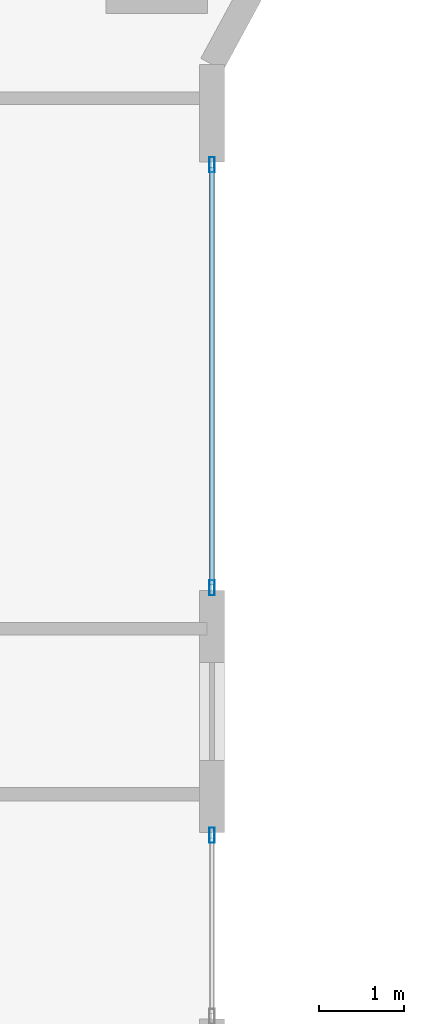
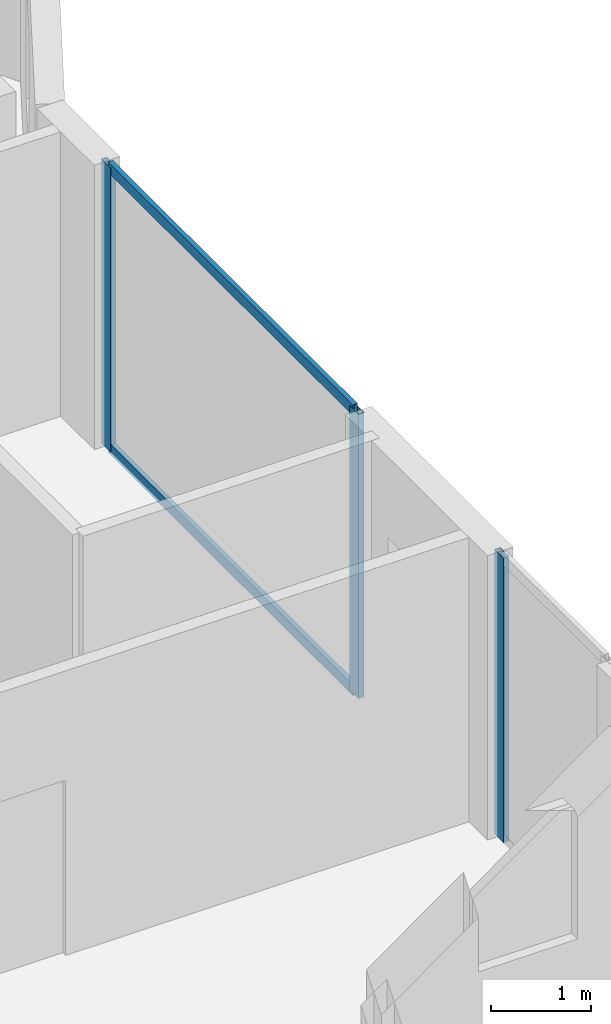
# One storey, part 12 of 33: 5 members, 2 elements without a shape of their own.
"""IFC4 building model written with IfcOpenShell, lengths in metres."""

import ifcopenshell
import ifcopenshell.guid

model = None  # the IFC model being written
_history = None  # IfcOwnerHistory: only IFC2X3 demands one
_inside = {}  # id of a spatial element -> (the spatial element, [elements in it])
_under = {}  # id of a project, library or spatial element -> (it, [spatial elements below it])
_declared = {}  # id of a project -> (the project, [libraries it declares])
_typed = {}  # id of a type object -> (the type object, [elements of that type])
_made_of = {}  # id of a material, layer set ... -> (it, [elements and type objects made of it])


def new_model(schema):
    """Start an empty IFC model of exactly this schema.

    Asked for "IFC4X3", IfcOpenShell would pick the latest addendum, in which some entities
    have other attributes; the version numbers below select the first issue.
    IFC2X3 requires an IfcOwnerHistory on every rooted entity: one is made here for all.
    """
    global model, _history
    if schema == "IFC4X3":
        model = ifcopenshell.file(schema_version=(4, 3, 0, 0))
    else:
        model = ifcopenshell.file(schema=schema)
    _inside.clear()
    _under.clear()
    _declared.clear()
    _typed.clear()
    _made_of.clear()
    _history = None
    if model.schema == "IFC2X3":
        org = make("IfcOrganization", Name="unknown")
        user = make(
            "IfcPersonAndOrganization",
            ThePerson=make("IfcPerson", FamilyName="unknown"),
            TheOrganization=org,
        )
        app = make(
            "IfcApplication",
            ApplicationDeveloper=org,
            Version="unknown",
            ApplicationFullName="unknown",
            ApplicationIdentifier="unknown",
        )
        _history = make(
            "IfcOwnerHistory",
            OwningUser=user,
            OwningApplication=app,
            ChangeAction="ADDED",
            CreationDate=0,
        )
    return model


def make(cls, **values):
    """One entity of the class cls with the attributes given. An attribute that is None is left unset."""
    return model.create_entity(
        cls, **{name: value for name, value in values.items() if value is not None}
    )


def rooted(cls, **values):
    """An entity with a GlobalId (a new one), such as an element, a storey or a relation."""
    return make(cls, GlobalId=ifcopenshell.guid.new(), OwnerHistory=_history, **values)


def si_unit(unit_type, name, prefix=None):
    """IfcSIUnit, for example si_unit("LENGTHUNIT", "METRE", prefix="MILLI")."""
    return make("IfcSIUnit", UnitType=unit_type, Prefix=prefix, Name=name)


def assignment(units):
    """IfcUnitAssignment: the units of a project."""
    return None if units is None else make("IfcUnitAssignment", Units=units)


def point(xyz):
    """IfcCartesianPoint."""
    return None if xyz is None else make("IfcCartesianPoint", Coordinates=xyz)


def direction(xyz):
    """IfcDirection."""
    return None if xyz is None else make("IfcDirection", DirectionRatios=xyz)


def frame(location, z_axis=None, x_axis=None):
    """IfcAxis2Placement3D, a coordinate frame: its origin and axes. An axis left out is left unset."""
    return make(
        "IfcAxis2Placement3D",
        Location=point(location),
        Axis=direction(z_axis),
        RefDirection=direction(x_axis),
    )


def frame_2d(location, x_axis=None):
    """IfcAxis2Placement2D, a coordinate frame in the plane: its origin and x axis."""
    return make(
        "IfcAxis2Placement2D", Location=point(location), RefDirection=direction(x_axis)
    )


def origin():
    """The frame at (0, 0, 0) with its axes left unset."""
    return frame((0.0, 0.0, 0.0))


def origin_2d():
    """The frame at (0, 0) in the plane with its x axis left unset."""
    return frame_2d((0.0, 0.0))


def place(relative_to, where):
    """IfcLocalPlacement: puts the frame where relative to a parent placement (None: the world)."""
    return make(
        "IfcLocalPlacement", PlacementRelTo=relative_to, RelativePlacement=where
    )


def context(
    kind, dimensions, precision=None, world=None, true_north=None, identifier=None
):
    """IfcGeometricRepresentationContext, for example the 3D "Model" context."""
    return make(
        "IfcGeometricRepresentationContext",
        ContextIdentifier=identifier,
        ContextType=kind,
        CoordinateSpaceDimension=dimensions,
        Precision=precision,
        WorldCoordinateSystem=world,
        TrueNorth=true_north,
    )


def subcontext(parent, identifier, kind, view, scale=None):
    """IfcGeometricRepresentationSubContext, for example "Body" below "Model"."""
    return make(
        "IfcGeometricRepresentationSubContext",
        ContextIdentifier=identifier,
        ContextType=kind,
        ParentContext=parent,
        TargetScale=scale,
        TargetView=view,
    )


def project(units=None, contexts=None):
    """IfcProject with its units and contexts."""
    return rooted(
        "IfcProject",
        Name="project",
        RepresentationContexts=contexts,
        UnitsInContext=assignment(units),
    )


def spatial(cls, under=None, at=None, **own):
    """A site, building, storey or space (cls), placed at a placement, below another one or the project."""
    s = rooted(cls, ObjectPlacement=at, **own)
    if under is not None:
        _under.setdefault(under.id(), (under, []))[1].append(s)
    return s


def profile(cls, at=None, kind="AREA", **sizes):
    """A parametric profile (cls). Its sizes go by their IFC names, for example OverallWidth=200.0."""
    return make(cls, ProfileType=kind, Position=at, **sizes)


def hollow_rectangle(**sizes):
    """IfcRectangleHollowProfileDef."""
    return profile("IfcRectangleHollowProfileDef", **sizes)


def extrude(swept, where, along, depth):
    """IfcExtrudedAreaSolid: the profile swept, set in the frame where, extruded along a direction by depth."""
    return make(
        "IfcExtrudedAreaSolid",
        SweptArea=swept,
        Position=where,
        ExtrudedDirection=direction(along),
        Depth=depth,
    )


def shape(context_of_items, identifier, shape_type, items):
    """IfcShapeRepresentation: the items that make up one representation, for example the "Body"."""
    return make(
        "IfcShapeRepresentation",
        ContextOfItems=context_of_items,
        RepresentationIdentifier=identifier,
        RepresentationType=shape_type,
        Items=items,
    )


def material(Name=None, Category=None):
    """IfcMaterial."""
    return make("IfcMaterial", Name=Name, Category=Category)


def layer(
    of_material, thickness, ventilated=None, Name=None, Category=None, Priority=None
):
    """IfcMaterialLayer: one layer of a wall or slab, of a material (None: an air gap)."""
    return make(
        "IfcMaterialLayer",
        Material=of_material,
        LayerThickness=thickness,
        IsVentilated=ventilated,
        Name=Name,
        Category=Category,
        Priority=Priority,
    )


def layer_set(layers, Name=None):
    """IfcMaterialLayerSet."""
    return make("IfcMaterialLayerSet", MaterialLayers=layers, LayerSetName=Name)


def material_profile(
    of_material, cross_section, Name=None, Category=None, Priority=None
):
    """IfcMaterialProfile: a cross section and its material."""
    return make(
        "IfcMaterialProfile",
        Name=Name,
        Material=of_material,
        Profile=cross_section,
        Priority=Priority,
        Category=Category,
    )


def profile_set(profiles, Name=None, composite=None):
    """IfcMaterialProfileSet."""
    return make(
        "IfcMaterialProfileSet",
        Name=Name,
        MaterialProfiles=profiles,
        CompositeProfile=composite,
    )


def made_of(thing, what):
    """Note that an element or type object is made of a material, layer set ...; save() writes the relation."""
    if what is not None:
        _made_of.setdefault(what.id(), (what, []))[1].append(thing)
    return thing


def type_object(cls, material=None, **own):
    """A type object (cls), such as IfcWallType, which elements share."""
    return made_of(rooted(cls, **own), material)


def element(
    cls,
    number,
    at=None,
    inside=None,
    cuts=None,
    type_object=None,
    material=None,
    context=None,
    identifier="Body",
    shape_type=None,
    held_by="IfcProductDefinitionShape",
    body=None,
    shapes=None,
    **own,
):
    """One element of the class cls, such as IfcWall. Its Tag is "e" and its number.

    at: its placement. inside: the storey or other place that contains it. cuts: it is an
    opening in that element (IfcRelVoidsElement). A single representation is given by context,
    identifier, shape_type and body (its items); several are given by shapes. held_by: the class
    of the entity that holds the representations. save() writes the other relations.
    """
    e = rooted(cls, Tag="e%d" % number, ObjectPlacement=at, **own)
    if body is not None:
        shapes = [shape(context, identifier, shape_type, body)]
    if shapes is not None:
        e.Representation = make(held_by, Representations=shapes)
    if inside is not None:
        _inside.setdefault(inside.id(), (inside, []))[1].append(e)
    if cuts is not None:
        rooted(
            "IfcRelVoidsElement", RelatingBuildingElement=cuts, RelatedOpeningElement=e
        )
    if type_object is not None:
        _typed.setdefault(type_object.id(), (type_object, []))[1].append(e)
    return made_of(e, material)


def aggregate(whole, parts):
    """IfcRelAggregates: a whole, such as a stair, and the parts it consists of."""
    return rooted("IfcRelAggregates", RelatingObject=whole, RelatedObjects=parts)


def save(model, path):
    """Write the relations noted so far, then the file.

    IfcRelAggregates (storeys below a building ...), IfcRelContainedInSpatialStructure (elements
    in a storey), IfcRelDefinesByType, IfcRelAssociatesMaterial and IfcRelDeclares: one each for
    every whole, place, type object, material and project.
    """
    for whole, parts in _under.values():
        aggregate(whole, parts)
    for where, things in _inside.values():
        rooted(
            "IfcRelContainedInSpatialStructure",
            RelatedElements=things,
            RelatingStructure=where,
        )
    for kind, things in _typed.values():
        rooted("IfcRelDefinesByType", RelatedObjects=things, RelatingType=kind)
    for what, things in _made_of.values():
        rooted("IfcRelAssociatesMaterial", RelatedObjects=things, RelatingMaterial=what)
    for by, libraries in _declared.values():
        rooted("IfcRelDeclares", RelatingContext=by, RelatedDefinitions=libraries)
    model.write(path)


model = new_model("IFC4")

# Units and contexts
model_context = context("Model", 3, precision=1e-05, world=origin(), true_north=direction((0.0, 1.0)))
body_context = subcontext(model_context, "Body", "Model", "MODEL_VIEW")
ifc_project = project(units=[si_unit("LENGTHUNIT", "METRE"), si_unit("AREAUNIT", "SQUARE_METRE"), si_unit("VOLUMEUNIT", "CUBIC_METRE"), si_unit("PLANEANGLEUNIT", "RADIAN"), si_unit("MASSUNIT", "GRAM", prefix="KILO")], contexts=[model_context])

# Site, building, storey
site_placement = place(None, origin())
site = spatial("IfcSite", under=ifc_project, at=site_placement, CompositionType="ELEMENT")
building_placement = place(site_placement, origin())
building = spatial("IfcBuilding", under=site, at=building_placement, Name="Zuhayl Quay Hotel", CompositionType="ELEMENT")
storey_placement = place(building_placement, frame((0.0, 0.0, 229.89990234375)))
storey = spatial("IfcBuildingStorey", under=building, at=storey_placement, Name="L58", CompositionType="ELEMENT", Elevation=229.89990234375)

# Curtain wall, members
ifc_material_1 = material(Name="Anodised Aluminium 6063-T6", Category="aluminium")
ifc_layer = layer(ifc_material_1, 0.175048828125, Name="Anodised Aluminium 6063-T6", Category="aluminium")
ifc_layer_set = layer_set([ifc_layer], Name="Anodised Aluminium 6063-T6")
curtain_wall_type = type_object("IfcCurtainWallType", Name="CW_SYS_Z3", PredefinedType="USERDEFINED", material=ifc_layer_set)
curtain_wall_1_placement = place(storey_placement, origin())
curtain_wall_1 = element("IfcCurtainWall", 1, at=curtain_wall_1_placement, inside=storey, type_object=curtain_wall_type, Name="L58 Curtain Wall ENV_L58_E14_CW1", ObjectType="UNITISED CURTAIN WALL", PredefinedType="USERDEFINED")
ifc_material_2 = material(Name="Black-anodised aluminium 6063-T6", Category="aluminium")
ifc_material_profile_1 = material_profile(ifc_material_2, hollow_rectangle(XDim=0.06494140625, YDim=0.179931640625, WallThickness=0.00341796875, at=origin_2d()), Name="ALU180X65")
ifc_profile_set_1 = profile_set([ifc_material_profile_1], Name="Black-anodised aluminium 6063-T6")
member_type_1 = type_object("IfcMemberType", Name="MB_CW_MUL_180", PredefinedType="MULLION", material=ifc_profile_set_1)
member_1_placement = place(storey_placement, frame((22.10009765625, 7.017578125, 0.0), z_axis=(0.0, 0.0, 1.0), x_axis=(1.0, 0.0, 0.0)))
member_1 = element("IfcMember", 2, at=member_1_placement, type_object=member_type_1, Name="CW-Z3 mullion 1", PredefinedType="MULLION", context=body_context, shape_type="SweptSolid", body=[
    extrude(hollow_rectangle(XDim=0.06494140625, YDim=0.179931640625, WallThickness=0.00341796875, at=origin_2d()), origin(), (0.0, 0.0, 1.0), 3.489990234375),
])
member_2_placement = place(storey_placement, frame((22.10009765625, 2.032470703125, 0.0), z_axis=(0.0, 0.0, 1.0), x_axis=(1.0, 0.0, 0.0)))
member_2 = element("IfcMember", 3, at=member_2_placement, type_object=member_type_1, Name="CW-Z3 mullion 2", PredefinedType="MULLION", context=body_context, shape_type="SweptSolid", body=[
    extrude(hollow_rectangle(XDim=0.06494140625, YDim=0.179931640625, WallThickness=0.00341796875, at=origin_2d()), origin(), (0.0, 0.0, 1.0), 3.489990234375),
])

# Curtain wall, member
curtain_wall_2_placement = place(storey_placement, origin())
curtain_wall_2 = element("IfcCurtainWall", 4, at=curtain_wall_2_placement, inside=storey, type_object=curtain_wall_type, Name="L58 Curtain Wall ENV_L58_E14_CW2", ObjectType="UNITISED CURTAIN WALL", PredefinedType="USERDEFINED")
member_3_placement = place(storey_placement, frame((22.10009765625, -0.882568359375, 0.0), z_axis=(0.0, 0.0, 1.0), x_axis=(1.0, 0.0, 0.0)))
member_3 = element("IfcMember", 5, at=member_3_placement, type_object=member_type_1, Name="CW-Z3 mullion 1", PredefinedType="MULLION", context=body_context, shape_type="SweptSolid", body=[
    extrude(hollow_rectangle(XDim=0.06494140625, YDim=0.179931640625, WallThickness=0.00341796875, at=origin_2d()), origin(), (0.0, 0.0, 1.0), 3.489990234375),
])
aggregate(curtain_wall_2, [member_3])

# Member
ifc_material_profile_2 = material_profile(ifc_material_2, hollow_rectangle(XDim=0.054931640625, YDim=0.1298828125, WallThickness=0.0029296875, at=origin_2d()), Name="ALU130X55")
ifc_profile_set_2 = profile_set([ifc_material_profile_2], Name="Black-anodised aluminium 6063-T6")
member_type_2 = type_object("IfcMemberType", Name="MB_CW_TRN_130", PredefinedType="USERDEFINED", material=ifc_profile_set_2)
member_4_placement = place(storey_placement, frame((22.10009765625, 6.985107421875, 0.027587890625), z_axis=(0.0, -1.0, 0.0), x_axis=(1.0, 0.0, 0.0)))
member_4 = element("IfcMember", 6, at=member_4_placement, type_object=member_type_2, Name="CW-Z3 transom 1.1", ObjectType="TRANSOM", PredefinedType="USERDEFINED", context=body_context, shape_type="SweptSolid", body=[
    extrude(hollow_rectangle(XDim=0.054931640625, YDim=0.1298828125, WallThickness=0.0029296875, at=origin_2d()), origin(), (0.0, 0.0, 1.0), 4.920166015625),
])

member_5_placement = place(storey_placement, frame((22.10009765625, 6.985107421875, 3.462646484375), z_axis=(0.0, -1.0, 0.0), x_axis=(1.0, 0.0, 0.0)))
member_5 = element("IfcMember", 7, at=member_5_placement, type_object=member_type_2, Name="CW-Z3 transom 1.2", ObjectType="TRANSOM", PredefinedType="USERDEFINED", context=body_context, shape_type="SweptSolid", body=[
    extrude(hollow_rectangle(XDim=0.054931640625, YDim=0.1298828125, WallThickness=0.0029296875, at=origin_2d()), origin(), (0.0, 0.0, 1.0), 4.920166015625),
])

aggregate(curtain_wall_1, [member_1, member_2, member_4, member_5])

save(model, "model.ifc")
